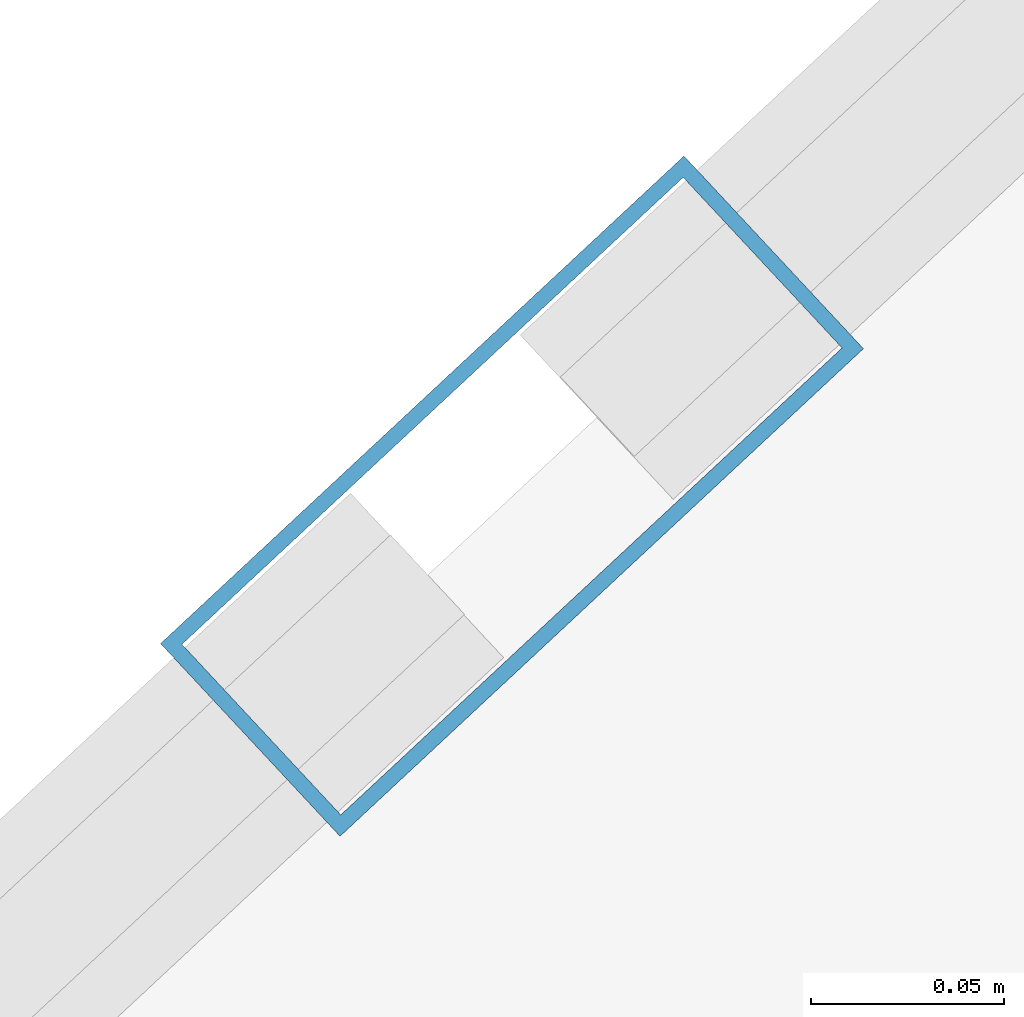
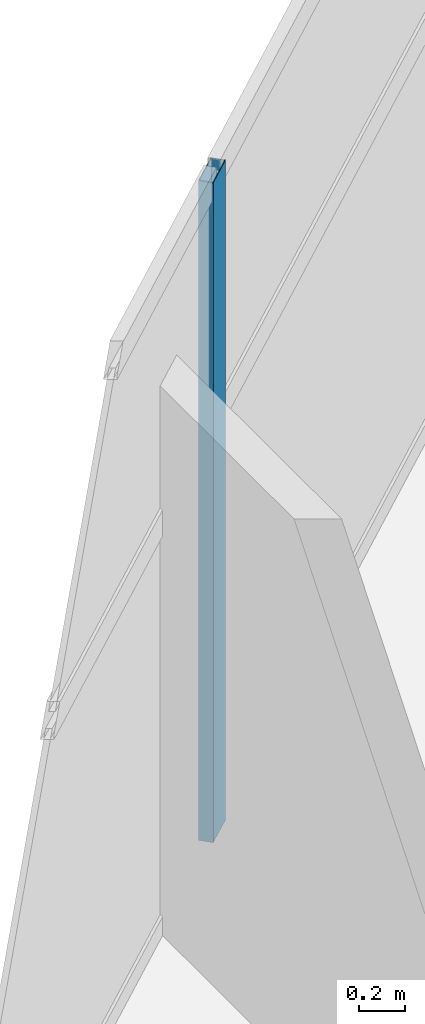
# One storey, part 12 of 27: 1 member, 1 element without a shape of its own.
"""IFC4 building model written with IfcOpenShell, lengths in metres."""

from ifc_helpers import new_model, si_unit, direction, frame, origin, origin_2d, place, context, subcontext, project, spatial, hollow_rectangle, extrude, material, layer, layer_set, material_profile, profile_set, type_object, element, aggregate, save


model = new_model("IFC4")

# Units and contexts
model_context = context("Model", 3, precision=1e-05, world=origin(), true_north=direction((0.0, 1.0)))
body_context = subcontext(model_context, "Body", "Model", "MODEL_VIEW")
ifc_project = project(units=[si_unit("LENGTHUNIT", "METRE"), si_unit("AREAUNIT", "SQUARE_METRE"), si_unit("VOLUMEUNIT", "CUBIC_METRE"), si_unit("PLANEANGLEUNIT", "RADIAN"), si_unit("MASSUNIT", "GRAM", prefix="KILO")], contexts=[model_context])

# Site, building, storey
site_placement = place(None, origin())
site = spatial("IfcSite", under=ifc_project, at=site_placement, CompositionType="ELEMENT")
building_placement = place(site_placement, origin())
building = spatial("IfcBuilding", under=site, at=building_placement, Name="Calvorn Quay Hotel", CompositionType="ELEMENT")
storey_placement = place(building_placement, frame((0.0, 0.0, 230.699951171875)))
storey = spatial("IfcBuildingStorey", under=building, at=storey_placement, Name="L57", CompositionType="ELEMENT", Elevation=230.699951171875)

# Curtain wall, member
ifc_material_1 = material(Name="Champagne Bronze Anodised Aluminium and Low-E Glass", Category="aluminium")
ifc_layer = layer(ifc_material_1, 0.219970703125)
ifc_layer_set = layer_set([ifc_layer], Name="CW-SYS-Z3")
curtain_wall_type = type_object("IfcCurtainWallType", Name="CW-SYS-Z3", PredefinedType="NOTDEFINED", material=ifc_layer_set)
curtain_wall_placement = place(storey_placement, origin())
curtain_wall = element("IfcCurtainWall", 1, at=curtain_wall_placement, inside=storey, type_object=curtain_wall_type, Name="Inner Court Curtain Wall L57-NE1", PredefinedType="NOTDEFINED")
ifc_material_2 = material(Name="Champagne Bronze Anodised Aluminium 6063-T6", Category="aluminium")
ifc_material_profile = material_profile(ifc_material_2, hollow_rectangle(XDim=0.068115234375, YDim=0.18505859375, WallThickness=0.00390625, at=origin_2d()), Name="ALU-M185x68x4")
ifc_profile_set = profile_set([ifc_material_profile], Name="Champagne Bronze Anodised Aluminium 6063-T6")
member_type = type_object("IfcMemberType", Name="CW-SYS-Z3-MUL", PredefinedType="MULLION", material=ifc_profile_set)
member_placement = place(storey_placement, frame((28.89990234375, 31.199951171875, 0.0), z_axis=(0.0, 0.0, 1.0), x_axis=(0.681603655102, -0.731721570922, 0.0)))
member = element("IfcMember", 2, at=member_placement, type_object=member_type, Name="CW-L57-NE1 mullion 2", PredefinedType="MULLION", context=body_context, shape_type="SweptSolid", body=[
    extrude(hollow_rectangle(XDim=0.068115234375, YDim=0.18505859375, WallThickness=0.00390625, at=origin_2d()), origin(), (0.0, 0.0, 1.0), 3.52001953125),
])
aggregate(curtain_wall, [member])

save(model, "model.ifc")
